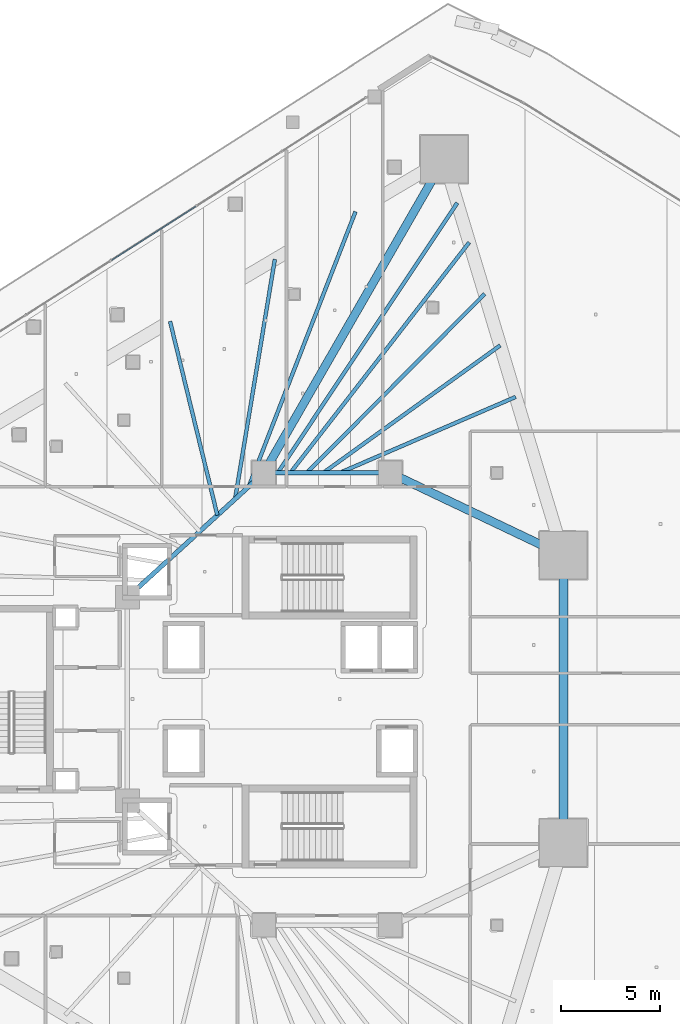
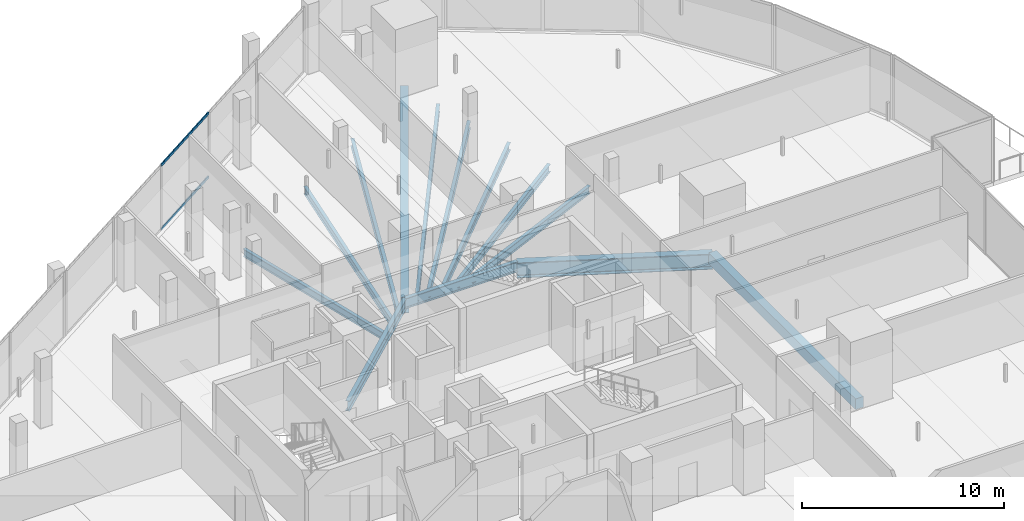
# One storey, part 19 of 45: 13 beams, 2 members, 1 element without a shape of its own.
"""IFC4 building model written with IfcOpenShell, lengths in metres."""

from ifc_helpers import new_model, si_unit, direction, frame, origin, origin_2d, place, context, subcontext, project, spatial, rectangle, hollow_rectangle, i_section, extrude, material, layer, layer_set, material_profile, profile_set, type_object, element, aggregate, save


model = new_model("IFC4")

# Units and contexts
model_context = context("Model", 3, precision=1e-05, world=origin(), true_north=direction((0.0, 1.0)))
body_context = subcontext(model_context, "Body", "Model", "MODEL_VIEW")
ifc_project = project(units=[si_unit("LENGTHUNIT", "METRE"), si_unit("AREAUNIT", "SQUARE_METRE"), si_unit("VOLUMEUNIT", "CUBIC_METRE"), si_unit("PLANEANGLEUNIT", "RADIAN"), si_unit("MASSUNIT", "GRAM", prefix="KILO")], contexts=[model_context])

# Site, building, storey
site_placement = place(None, origin())
site = spatial("IfcSite", under=ifc_project, at=site_placement, CompositionType="ELEMENT")
building_placement = place(site_placement, origin())
building = spatial("IfcBuilding", under=site, at=building_placement, Name="Qorvath Tower", CompositionType="ELEMENT")
storey_placement = place(building_placement, frame((0.0, 0.0, 66.0)))
storey = spatial("IfcBuildingStorey", under=building, at=storey_placement, Name="L14", CompositionType="ELEMENT", Elevation=66.0)

# Beams
ifc_material_1 = material(Name="Steel ASTM A992 Grade 50", Category="steel")
ifc_material_profile_1 = material_profile(ifc_material_1, i_section(OverallWidth=0.422119140625, OverallDepth=0.93310546875, WebThickness=0.021240234375, FlangeThickness=0.039794921875, FilletRadius=0.02392578125, at=origin_2d()), Name="W36x262")
ifc_profile_set_1 = profile_set([ifc_material_profile_1], Name="Steel ASTM A992 Grade 50")
beam_type_1 = type_object("IfcBeamType", Name="BM-FG1", PredefinedType="BEAM", material=ifc_profile_set_1)
beam_1_placement = place(storey_placement, frame((-23.60009765625, 11.449951171875, -0.74658203125), z_axis=(0.498645367714, 0.866806089767, 0.0), x_axis=(-0.866806089767, 0.498645367714, 0.0)))
element("IfcBeam", 1, at=beam_1_placement, inside=storey, type_object=beam_type_1, Name="Radial Floor Girder CC1-MC6 L14", PredefinedType="BEAM", context=body_context, shape_type="SweptSolid", body=[
    extrude(i_section(OverallWidth=0.422119140625, OverallDepth=0.93310546875, WebThickness=0.021240234375, FlangeThickness=0.039794921875, FilletRadius=0.02392578125, at=origin_2d()), origin(), (0.0, 0.0, 1.0), 18.321044921875),
])
beam_2_placement = place(storey_placement, frame((-17.199951171875, 11.449951171875, -0.74658203125), z_axis=(0.902955751435, -0.429733534821, 0.0), x_axis=(0.429733534821, 0.902955751435, 0.0)))
element("IfcBeam", 2, at=beam_2_placement, inside=storey, type_object=beam_type_1, Name="Radial Floor Girder CC2-MC5 L14", PredefinedType="BEAM", context=body_context, shape_type="SweptSolid", body=[
    extrude(i_section(OverallWidth=0.422119140625, OverallDepth=0.93310546875, WebThickness=0.021240234375, FlangeThickness=0.039794921875, FilletRadius=0.02392578125, at=origin_2d()), origin(), (0.0, 0.0, 1.0), 9.7119140625),
])
ifc_material_2 = material(Name="Steel ASTM A992 Grade 50", Category="steel")
ifc_material_profile_2 = material_profile(ifc_material_2, i_section(OverallWidth=0.22998046875, OverallDepth=0.616943359375, WebThickness=0.01318359375, FlangeThickness=0.022216796875, FilletRadius=0.014892578125, at=origin_2d()), Name="W24x94")
ifc_profile_set_2 = profile_set([ifc_material_profile_2], Name="Steel ASTM A992 Grade 50")
beam_type_2 = type_object("IfcBeamType", Name="BM-FG6", PredefinedType="BEAM", material=ifc_profile_set_2)
beam_3_placement = place(storey_placement, frame((-23.60009765625, 11.449951171875, -0.58837890625), z_axis=(1.0, 0.0, 0.0), x_axis=(0.0, 1.0, 0.0)))
element("IfcBeam", 3, at=beam_3_placement, inside=storey, type_object=beam_type_2, Name="Core Ring Girder CC1-CC2 L14", PredefinedType="BEAM", context=body_context, shape_type="SweptSolid", body=[
    extrude(i_section(OverallWidth=0.22998046875, OverallDepth=0.616943359375, WebThickness=0.01318359375, FlangeThickness=0.022216796875, FilletRadius=0.014892578125, at=origin_2d()), origin(), (0.0, 0.0, 1.0), 6.400146484375),
])
beam_4_placement = place(storey_placement, frame((-30.5, 5.14990234375, -0.58837890625), z_axis=(0.73847813985, 0.6742774184, 0.0), x_axis=(-0.6742774184, 0.73847813985, 0.0)))
element("IfcBeam", 4, at=beam_4_placement, inside=storey, type_object=beam_type_2, Name="Core Ring Girder CC5-CC1 L14", PredefinedType="BEAM", context=body_context, shape_type="SweptSolid", body=[
    extrude(i_section(OverallWidth=0.22998046875, OverallDepth=0.616943359375, WebThickness=0.01318359375, FlangeThickness=0.022216796875, FilletRadius=0.014892578125, at=origin_2d()), origin(), (0.0, 0.0, 1.0), 9.343505859375),
])
ifc_material_3 = material(Name="Steel ASTM A992 Grade 50", Category="steel")
ifc_material_profile_3 = material_profile(ifc_material_3, i_section(OverallWidth=0.18994140625, OverallDepth=0.45703125, WebThickness=0.009033203125, FlangeThickness=0.014404296875, FilletRadius=0.011962890625, at=origin_2d()), Name="W18x50")
ifc_profile_set_3 = profile_set([ifc_material_profile_3], Name="Steel ASTM A992 Grade 50")
beam_type_3 = type_object("IfcBeamType", Name="BM-FJ2", PredefinedType="JOIST", material=ifc_profile_set_3)
beam_5_placement = place(storey_placement, frame((-19.760009765625, 11.449951171875, -0.508544921875), z_axis=(0.918135537923, 0.396266493667, 0.0), x_axis=(-0.396266493667, 0.918135537923, 0.0)))
element("IfcBeam", 5, at=beam_5_placement, inside=storey, type_object=beam_type_3, Name="Composite Floor Joist NE3 L14", PredefinedType="JOIST", context=body_context, shape_type="SweptSolid", body=[
    extrude(i_section(OverallWidth=0.18994140625, OverallDepth=0.45703125, WebThickness=0.009033203125, FlangeThickness=0.014404296875, FilletRadius=0.011962890625, at=origin_2d()), origin(), (0.0, 0.0, 1.0), 9.7109375),
])
beam_6_placement = place(storey_placement, frame((-20.592041015625, 11.449951171875, -0.508544921875), z_axis=(0.811469358397, 0.584394969505, 0.0), x_axis=(-0.584394969505, 0.811469358397, 0.0)))
element("IfcBeam", 6, at=beam_6_placement, inside=storey, type_object=beam_type_3, Name="Composite Floor Joist NE4 L14", PredefinedType="JOIST", context=body_context, shape_type="SweptSolid", body=[
    extrude(i_section(OverallWidth=0.18994140625, OverallDepth=0.45703125, WebThickness=0.009033203125, FlangeThickness=0.014404296875, FilletRadius=0.011962890625, at=origin_2d()), origin(), (0.0, 0.0, 1.0), 11.046142578125),
])
beam_7_placement = place(storey_placement, frame((-21.424072265625, 11.449951171875, -0.508544921875), z_axis=(0.705107654599, 0.709100271771, 0.0), x_axis=(-0.709100271771, 0.705107654599, 0.0)))
element("IfcBeam", 7, at=beam_7_placement, inside=storey, type_object=beam_type_3, Name="Composite Floor Joist NE5 L14", PredefinedType="JOIST", context=body_context, shape_type="SweptSolid", body=[
    extrude(i_section(OverallWidth=0.18994140625, OverallDepth=0.45703125, WebThickness=0.009033203125, FlangeThickness=0.014404296875, FilletRadius=0.011962890625, at=origin_2d()), origin(), (0.0, 0.0, 1.0), 12.780029296875),
])
beam_8_placement = place(storey_placement, frame((-22.256103515625, 11.449951171875, -0.508544921875), z_axis=(0.613206963859, 0.789922286984, 0.0), x_axis=(-0.789922286984, 0.613206963859, 0.0)))
element("IfcBeam", 8, at=beam_8_placement, inside=storey, type_object=beam_type_3, Name="Composite Floor Joist NE6 L14", PredefinedType="JOIST", context=body_context, shape_type="SweptSolid", body=[
    extrude(i_section(OverallWidth=0.18994140625, OverallDepth=0.45703125, WebThickness=0.009033203125, FlangeThickness=0.014404296875, FilletRadius=0.011962890625, at=origin_2d()), origin(), (0.0, 0.0, 1.0), 14.77294921875),
])
beam_9_placement = place(storey_placement, frame((-22.89599609375, 11.449951171875, -0.508544921875), z_axis=(0.553811384989, 0.83264214994, 0.0), x_axis=(-0.83264214994, 0.553811384989, 0.0)))
element("IfcBeam", 9, at=beam_9_placement, inside=storey, type_object=beam_type_3, Name="Composite Floor Joist NE7 L14", PredefinedType="JOIST", context=body_context, shape_type="SweptSolid", body=[
    extrude(i_section(OverallWidth=0.18994140625, OverallDepth=0.45703125, WebThickness=0.009033203125, FlangeThickness=0.014404296875, FilletRadius=0.011962890625, at=origin_2d()), origin(), (0.0, 0.0, 1.0), 16.42333984375),
])
beam_10_placement = place(storey_placement, frame((-25.946044921875, 9.30810546875, -0.508544921875), z_axis=(-0.237165308581, 0.97146930801, 0.0), x_axis=(-0.97146930801, -0.237165308581, 0.0)))
element("IfcBeam", 10, at=beam_10_placement, inside=storey, type_object=beam_type_3, Name="Composite Floor Joist NW5 L14", PredefinedType="JOIST", context=body_context, shape_type="SweptSolid", body=[
    extrude(i_section(OverallWidth=0.18994140625, OverallDepth=0.45703125, WebThickness=0.009033203125, FlangeThickness=0.014404296875, FilletRadius=0.011962890625, at=origin_2d()), origin(), (0.0, 0.0, 1.0), 10.104736328125),
])
beam_11_placement = place(storey_placement, frame((-25.049072265625, 10.126953125, -0.508544921875), z_axis=(0.163639384475, 0.98652022374, 0.0), x_axis=(-0.98652022374, 0.163639384475, 0.0)))
element("IfcBeam", 11, at=beam_11_placement, inside=storey, type_object=beam_type_3, Name="Composite Floor Joist NW6 L14", PredefinedType="JOIST", context=body_context, shape_type="SweptSolid", body=[
    extrude(i_section(OverallWidth=0.18994140625, OverallDepth=0.45703125, WebThickness=0.009033203125, FlangeThickness=0.014404296875, FilletRadius=0.011962890625, at=origin_2d()), origin(), (0.0, 0.0, 1.0), 12.301025390625),
])
beam_12_placement = place(storey_placement, frame((-24.35888671875, 10.757080078125, -0.508544921875), z_axis=(0.361964096586, 0.93219203643, 0.0), x_axis=(-0.93219203643, 0.361964096586, 0.0)))
element("IfcBeam", 12, at=beam_12_placement, inside=storey, type_object=beam_type_3, Name="Composite Floor Joist NW7 L14", PredefinedType="JOIST", context=body_context, shape_type="SweptSolid", body=[
    extrude(i_section(OverallWidth=0.18994140625, OverallDepth=0.45703125, WebThickness=0.009033203125, FlangeThickness=0.014404296875, FilletRadius=0.011962890625, at=origin_2d()), origin(), (0.0, 0.0, 1.0), 14.93115234375),
])
ifc_material_4 = material(Name="Concrete C45/55", Category="concrete")
ifc_material_profile_4 = material_profile(ifc_material_4, rectangle(XDim=0.449951171875, YDim=0.64990234375, at=origin_2d()), Name="RCB 650x450")
ifc_profile_set_4 = profile_set([ifc_material_profile_4], Name="Concrete C45/55")
beam_type_4 = type_object("IfcBeamType", Name="BM-RCB4", PredefinedType="LINTEL", material=ifc_profile_set_4)
beam_13_placement = place(storey_placement, frame((-8.430419921875, -7.2763671875, -0.60498046875), z_axis=(0.0, 1.0, 0.0), x_axis=(-1.0, 0.0, 0.0)))
element("IfcBeam", 13, at=beam_13_placement, inside=storey, type_object=beam_type_4, Name="Slot Portal Lintel Beam L14", PredefinedType="LINTEL", context=body_context, shape_type="SweptSolid", body=[
    extrude(rectangle(XDim=0.449951171875, YDim=0.64990234375, at=origin_2d()), origin(), (0.0, 0.0, 1.0), 14.552734375),
])

# Curtain wall, members
ifc_material_5 = material(Name="Anodised aluminium and triple low-E glass", Category="aluminium")
ifc_layer = layer(ifc_material_5, 0.179931640625)
ifc_layer_set = layer_set([ifc_layer], Name="CW-SYS-2")
curtain_wall_type = type_object("IfcCurtainWallType", Name="CW-SYS-2", PredefinedType="NOTDEFINED", material=ifc_layer_set)
curtain_wall_placement = place(storey_placement, origin())
curtain_wall = element("IfcCurtainWall", 14, at=curtain_wall_placement, inside=storey, type_object=curtain_wall_type, Name="Curtain Wall CW-2 CW-T-L14-16.2", PredefinedType="NOTDEFINED")
ifc_material_6 = material(Name="Anodised aluminium 6063-T6", Category="aluminium")
ifc_material_profile_5 = material_profile(ifc_material_6, hollow_rectangle(XDim=0.06494140625, YDim=0.159912109375, WallThickness=0.00341796875, InnerFilletRadius=0.00341796875, OuterFilletRadius=0.007080078125, at=origin_2d()), Name="CWT 160x65")
ifc_profile_set_5 = profile_set([ifc_material_profile_5], Name="Anodised aluminium 6063-T6")
member_type = type_object("IfcMemberType", Name="CWT-160", PredefinedType="USERDEFINED", material=ifc_profile_set_5)
member_1_placement = place(storey_placement, frame((-27.034423828125, 24.94287109375, 0.032470703125), z_axis=(-0.842577063676, -0.538575799463, 0.0), x_axis=(0.538575799463, -0.842577063676, 0.0)))
member_1 = element("IfcMember", 15, at=member_1_placement, type_object=member_type, Name="CW-2 transom 3.1", ObjectType="TRANSOM", PredefinedType="USERDEFINED", context=body_context, shape_type="SweptSolid", body=[
    extrude(hollow_rectangle(XDim=0.06494140625, YDim=0.159912109375, WallThickness=0.00341796875, InnerFilletRadius=0.00341796875, OuterFilletRadius=0.007080078125, at=origin_2d()), origin(), (0.0, 0.0, 1.0), 5.060302734375),
])
member_2_placement = place(storey_placement, frame((-27.034423828125, 24.94287109375, 3.887451171875), z_axis=(-0.842577063676, -0.538575799463, 0.0), x_axis=(0.538575799463, -0.842577063676, 0.0)))
member_2 = element("IfcMember", 16, at=member_2_placement, type_object=member_type, Name="CW-2 transom 3.2", ObjectType="TRANSOM", PredefinedType="USERDEFINED", context=body_context, shape_type="SweptSolid", body=[
    extrude(hollow_rectangle(XDim=0.06494140625, YDim=0.159912109375, WallThickness=0.00341796875, InnerFilletRadius=0.00341796875, OuterFilletRadius=0.007080078125, at=origin_2d()), origin(), (0.0, 0.0, 1.0), 5.060302734375),
])
aggregate(curtain_wall, [member_1, member_2])

save(model, "model.ifc")
